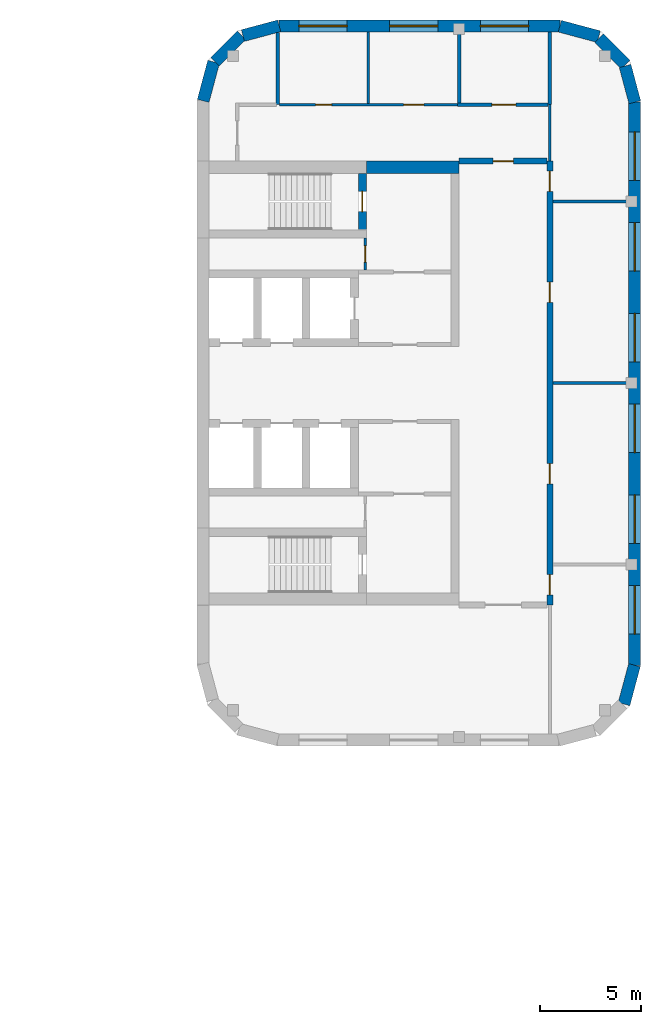
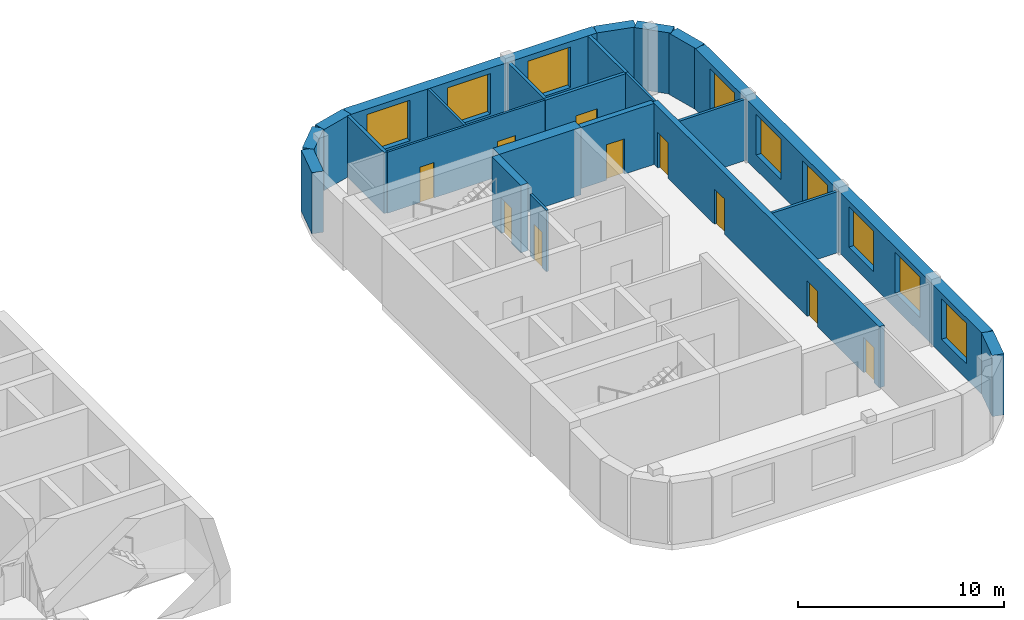
# One storey, part 8 of 10: 23 walls, 10 doors, 9 windows, 19 openings.
"""IFC4 building model written with IfcOpenShell, lengths in metres."""

from ifc_helpers import new_model, si_unit, direction, frame, frame_2d, origin, place, context, subcontext, project, spatial, rectangle, extrude, material, layer, layer_set, type_object, element, fill, save


model = new_model("IFC4")

# Units and contexts
model_context = context("Model", 3, precision=1e-05, world=origin(), true_north=direction((0.0, 1.0)))
body_context = subcontext(model_context, "Body", "Model", "MODEL_VIEW")
ifc_project = project(units=[si_unit("LENGTHUNIT", "METRE"), si_unit("AREAUNIT", "SQUARE_METRE"), si_unit("VOLUMEUNIT", "CUBIC_METRE"), si_unit("PLANEANGLEUNIT", "RADIAN"), si_unit("MASSUNIT", "GRAM", prefix="KILO")], contexts=[model_context])

# Site, building, storey
site_placement = place(None, origin())
site = spatial("IfcSite", under=ifc_project, at=site_placement, CompositionType="ELEMENT")
building_placement = place(site_placement, origin())
building = spatial("IfcBuilding", under=site, at=building_placement, Name="Skarvind Civic Tower", CompositionType="ELEMENT")
storey_placement = place(building_placement, frame((0.0, 0.0, 97.0)))
storey = spatial("IfcBuildingStorey", under=building, at=storey_placement, Name="L22", CompositionType="ELEMENT", Elevation=97.0)

# Walls
ifc_material_1 = material(Name="Acoustic gypsum board on steel studs", Category="steel")
ifc_layer_1 = layer(ifc_material_1, 0.175048828125)
ifc_layer_set_1 = layer_set([ifc_layer_1], Name="ACOUSTIC MEETING-ROOM PARTITION 175")
wall_type_1 = type_object("IfcWallType", Name="ACOUSTIC MEETING-ROOM PARTITION 175", PredefinedType="PARTITIONING", material=ifc_layer_set_1)
wall_1_placement = place(storey_placement, frame((131.0, 145.37890625, 0.0), z_axis=(0.0, 0.0, 1.0), x_axis=(0.0, -1.0, 0.0)))
element("IfcWall", 1, at=wall_1_placement, inside=storey, type_object=wall_type_1, Name="Partition 22.004", PredefinedType="PARTITIONING", context=body_context, shape_type="SweptSolid", body=[
    extrude(rectangle(XDim=3.578857421875, YDim=0.175048828125, at=frame_2d((1.78955078125, 0.0))), origin(), (0.0, 0.0, 1.0), 3.625),
])
wall_2_placement = place(storey_placement, frame((140.0, 141.887939453125, 0.0), z_axis=(0.0, 0.0, 1.0), x_axis=(0.0, 1.0, 0.0)))
element("IfcWall", 2, at=wall_2_placement, inside=storey, type_object=wall_type_1, Name="Partition 22.007", PredefinedType="PARTITIONING", context=body_context, shape_type="SweptSolid", body=[
    extrude(rectangle(XDim=3.511962890625, YDim=0.175048828125, at=frame_2d((1.755859375, 0.0))), origin(), (0.0, 0.0, 1.0), 3.625),
])

# Wall, opening, door
wall_3_placement = place(storey_placement, frame((139.912109375, 141.800048828125, 0.0), z_axis=(0.0, 0.0, 1.0), x_axis=(1.0, 0.0, 0.0)))
wall_3 = element("IfcWall", 3, at=wall_3_placement, inside=storey, type_object=wall_type_1, Name="Partition 22.008", PredefinedType="PARTITIONING", context=body_context, shape_type="SweptSolid", body=[
    extrude(rectangle(XDim=4.5, YDim=0.175048828125, at=frame_2d((2.25, 0.0))), origin(), (0.0, 0.0, 1.0), 3.625),
])
opening_1_placement = place(wall_3_placement, frame((1.7041015625, 0.0, 0.0)))
opening_1 = element("IfcOpeningElement", 4, at=opening_1_placement, cuts=wall_3, Name="Opening L22-D109", PredefinedType="OPENING", context=body_context, shape_type="SweptSolid", body=[
    extrude(rectangle(XDim=1.199951171875, YDim=2.10009765625, at=frame_2d((0.60009765625, 1.050048828125))), frame((0.0, 0.097412109375, 0.0), z_axis=(0.0, -1.0, 0.0), x_axis=(1.0, 0.0, 0.0)), (0.0, 0.0, 1.0), 0.195068359375),
])
ifc_material_2 = material(Name="Timber door leaf", Category="wood")
door_type_1 = type_object("IfcDoorType", Name="DOOR 1200X2100 DOUBLE TIMBER", OperationType="NOTDEFINED", PredefinedType="DOOR", material=ifc_material_2)
door_1_placement = place(opening_1_placement, origin())
door_1 = element("IfcDoor", 5, at=door_1_placement, inside=storey, type_object=door_type_1, Name="Door L22-D109", OperationType="DOUBLE_DOOR_SINGLE_SWING", OverallHeight=2.10009765625, OverallWidth=1.199951171875, PredefinedType="DOOR", context=body_context, shape_type="SweptSolid", body=[
    extrude(rectangle(XDim=1.199951171875, YDim=2.10009765625, at=frame_2d((0.60009765625, 1.050048828125))), frame((0.0, 0.02490234375, 0.0), z_axis=(0.0, -1.0, 0.0), x_axis=(1.0, 0.0, 0.0)), (0.0, 0.0, 1.0), 0.050048828125),
])
fill(opening_1, door_1)

# Wall
wall_4_placement = place(storey_placement, frame((144.5, 141.800048828125, 0.0), z_axis=(0.0, 0.0, 1.0), x_axis=(0.0, 1.0, 0.0)))
element("IfcWall", 6, at=wall_4_placement, inside=storey, type_object=wall_type_1, Name="Partition 22.016", PredefinedType="PARTITIONING", context=body_context, shape_type="SweptSolid", body=[
    extrude(rectangle(XDim=3.599853515625, YDim=0.175048828125, at=frame_2d((1.7998046875, 0.0))), origin(), (0.0, 0.0, 1.0), 3.625),
])

# Wall, opening, door
ifc_material_3 = material(Name="Fire-rated gypsum board on steel studs", Category="steel")
ifc_layer_2 = layer(ifc_material_3, 0.300048828125)
ifc_layer_set_2 = layer_set([ifc_layer_2], Name="CORRIDOR WALL 300")
wall_type_2 = type_object("IfcWallType", Name="CORRIDOR WALL 300", PredefinedType="PARTITIONING", material=ifc_layer_set_2)
wall_5_placement = place(storey_placement, frame((144.35009765625, 139.0, 0.0), z_axis=(0.0, 0.0, 1.0), x_axis=(-1.0, 0.0, 0.0)))
wall_5 = element("IfcWall", 7, at=wall_5_placement, inside=storey, type_object=wall_type_2, Name="Partition 22.006", PredefinedType="PARTITIONING", context=body_context, shape_type="SweptSolid", body=[
    extrude(rectangle(XDim=4.35009765625, YDim=0.300048828125, at=frame_2d((2.175048828125, 0.0))), origin(), (0.0, 0.0, 1.0), 3.625),
])
opening_2_placement = place(wall_5_placement, frame((1.66650390625, 0.0, 0.0)))
opening_2 = element("IfcOpeningElement", 8, at=opening_2_placement, cuts=wall_5, Name="Opening L22-D106", PredefinedType="OPENING", context=body_context, shape_type="SweptSolid", body=[
    extrude(rectangle(XDim=1.0, YDim=2.10009765625, at=frame_2d((0.5, 1.050048828125))), frame((0.0, 0.159912109375, 0.0), z_axis=(0.0, -1.0, 0.0), x_axis=(1.0, 0.0, 0.0)), (0.0, 0.0, 1.0), 0.320068359375),
])
ifc_material_4 = material(Name="Fire-rated timber door leaf", Category="wood")
door_type_2 = type_object("IfcDoorType", Name="FD1 1000x2100", OperationType="NOTDEFINED", PredefinedType="DOOR", material=ifc_material_4)
door_2_placement = place(opening_2_placement, origin())
door_2 = element("IfcDoor", 9, at=door_2_placement, inside=storey, type_object=door_type_2, Name="Door L22-D106", OperationType="SINGLE_SWING_LEFT", OverallHeight=2.10009765625, OverallWidth=1.0, PredefinedType="DOOR", context=body_context, shape_type="SweptSolid", body=[
    extrude(rectangle(XDim=1.0, YDim=2.10009765625, at=frame_2d((0.5, 1.050048828125))), frame((0.0, 0.02490234375, 0.0), z_axis=(0.0, -1.0, 0.0), x_axis=(1.0, 0.0, 0.0)), (0.0, 0.0, 1.0), 0.050048828125),
])
fill(opening_2, door_2)

# Wall, openings, doors
wall_6_placement = place(storey_placement, frame((144.5, 139.0, 0.0), z_axis=(0.0, 0.0, 1.0), x_axis=(0.0, -1.0, 0.0)))
wall_6 = element("IfcWall", 10, at=wall_6_placement, inside=storey, type_object=wall_type_2, Name="Partition 22.014", PredefinedType="PARTITIONING", context=body_context, shape_type="SweptSolid", body=[
    extrude(rectangle(XDim=22.0, YDim=0.300048828125, at=frame_2d((11.0, 0.0))), origin(), (0.0, 0.0, 1.0), 3.625),
])
opening_3_placement = place(wall_6_placement, frame((20.50146484375, 0.0, 0.0)))
opening_3 = element("IfcOpeningElement", 11, at=opening_3_placement, cuts=wall_6, Name="Opening L22-D101", PredefinedType="OPENING", context=body_context, shape_type="SweptSolid", body=[
    extrude(rectangle(XDim=1.0, YDim=2.10009765625, at=frame_2d((0.5, 1.050048828125))), frame((0.0, 0.159912109375, 0.0), z_axis=(0.0, -1.0, 0.0), x_axis=(1.0, 0.0, 0.0)), (0.0, 0.0, 1.0), 0.320068359375),
])
opening_4_placement = place(wall_6_placement, frame((15.0, 0.0, 0.0)))
opening_4 = element("IfcOpeningElement", 12, at=opening_4_placement, cuts=wall_6, Name="Opening L22-D102", PredefinedType="OPENING", context=body_context, shape_type="SweptSolid", body=[
    extrude(rectangle(XDim=1.0, YDim=2.10009765625, at=frame_2d((0.5, 1.050048828125))), frame((0.0, 0.159912109375, 0.0), z_axis=(0.0, -1.0, 0.0), x_axis=(1.0, 0.0, 0.0)), (0.0, 0.0, 1.0), 0.320068359375),
])
opening_5_placement = place(wall_6_placement, frame((6.0, 0.0, 0.0)))
opening_5 = element("IfcOpeningElement", 13, at=opening_5_placement, cuts=wall_6, Name="Opening L22-D103", PredefinedType="OPENING", context=body_context, shape_type="SweptSolid", body=[
    extrude(rectangle(XDim=1.0, YDim=2.10009765625, at=frame_2d((0.5, 1.050048828125))), frame((0.0, 0.159912109375, 0.0), z_axis=(0.0, -1.0, 0.0), x_axis=(1.0, 0.0, 0.0)), (0.0, 0.0, 1.0), 0.320068359375),
])
opening_6_placement = place(wall_6_placement, frame((0.49853515625, 0.0, 0.0)))
opening_6 = element("IfcOpeningElement", 14, at=opening_6_placement, cuts=wall_6, Name="Opening L22-D104", PredefinedType="OPENING", context=body_context, shape_type="SweptSolid", body=[
    extrude(rectangle(XDim=1.0, YDim=2.10009765625, at=frame_2d((0.5, 1.050048828125))), frame((0.0, 0.159912109375, 0.0), z_axis=(0.0, -1.0, 0.0), x_axis=(1.0, 0.0, 0.0)), (0.0, 0.0, 1.0), 0.320068359375),
])
door_3_placement = place(opening_3_placement, origin())
door_3 = element("IfcDoor", 15, at=door_3_placement, inside=storey, type_object=door_type_2, Name="Door L22-D101", OperationType="SINGLE_SWING_LEFT", OverallHeight=2.10009765625, OverallWidth=1.0, PredefinedType="DOOR", context=body_context, shape_type="SweptSolid", body=[
    extrude(rectangle(XDim=1.0, YDim=2.10009765625, at=frame_2d((0.5, 1.050048828125))), frame((0.0, 0.02490234375, 0.0), z_axis=(0.0, -1.0, 0.0), x_axis=(1.0, 0.0, 0.0)), (0.0, 0.0, 1.0), 0.050048828125),
])
fill(opening_3, door_3)
door_4_placement = place(opening_4_placement, origin())
door_4 = element("IfcDoor", 16, at=door_4_placement, inside=storey, type_object=door_type_2, Name="Door L22-D102", OperationType="SINGLE_SWING_LEFT", OverallHeight=2.10009765625, OverallWidth=1.0, PredefinedType="DOOR", context=body_context, shape_type="SweptSolid", body=[
    extrude(rectangle(XDim=1.0, YDim=2.10009765625, at=frame_2d((0.5, 1.050048828125))), frame((0.0, 0.02490234375, 0.0), z_axis=(0.0, -1.0, 0.0), x_axis=(1.0, 0.0, 0.0)), (0.0, 0.0, 1.0), 0.050048828125),
])
fill(opening_4, door_4)
door_5_placement = place(opening_5_placement, origin())
door_5 = element("IfcDoor", 17, at=door_5_placement, inside=storey, type_object=door_type_2, Name="Door L22-D103", OperationType="SINGLE_SWING_LEFT", OverallHeight=2.10009765625, OverallWidth=1.0, PredefinedType="DOOR", context=body_context, shape_type="SweptSolid", body=[
    extrude(rectangle(XDim=1.0, YDim=2.10009765625, at=frame_2d((0.5, 1.050048828125))), frame((0.0, 0.02490234375, 0.0), z_axis=(0.0, -1.0, 0.0), x_axis=(1.0, 0.0, 0.0)), (0.0, 0.0, 1.0), 0.050048828125),
])
fill(opening_5, door_5)
door_6_placement = place(opening_6_placement, origin())
door_6 = element("IfcDoor", 18, at=door_6_placement, inside=storey, type_object=door_type_2, Name="Door L22-D104", OperationType="SINGLE_SWING_LEFT", OverallHeight=2.10009765625, OverallWidth=1.0, PredefinedType="DOOR", context=body_context, shape_type="SweptSolid", body=[
    extrude(rectangle(XDim=1.0, YDim=2.10009765625, at=frame_2d((0.5, 1.050048828125))), frame((0.0, 0.02490234375, 0.0), z_axis=(0.0, -1.0, 0.0), x_axis=(1.0, 0.0, 0.0)), (0.0, 0.0, 1.0), 0.050048828125),
])
fill(opening_6, door_6)

# Wall, opening, door
ifc_material_5 = material(Name="Concrete C80", Category="concrete")
ifc_layer_3 = layer(ifc_material_5, 0.39990234375)
ifc_layer_set_3 = layer_set([ifc_layer_3], Name="Core wall 400 C80")
wall_type_3 = type_object("IfcWallType", Name="Core wall 400 C80", PredefinedType="SHEAR", material=ifc_layer_set_3)
wall_7_placement = place(storey_placement, frame((135.199951171875, 135.60009765625, 0.0), z_axis=(0.0, 0.0, 1.0), x_axis=(0.0, 1.0, 0.0)))
wall_7 = element("IfcWall", 19, at=wall_7_placement, inside=storey, type_object=wall_type_3, Name="Core wall CA north stair end L22", PredefinedType="SHEAR", context=body_context, shape_type="SweptSolid", body=[
    extrude(rectangle(XDim=2.7998046875, YDim=0.39990234375, at=frame_2d((1.39990234375, 0.0))), origin(), (0.0, 0.0, 1.0), 4.0),
])
opening_7_placement = place(wall_7_placement, frame((0.89990234375, 0.0, 0.0)))
opening_7 = element("IfcOpeningElement", 20, at=opening_7_placement, cuts=wall_7, Name="Opening D-L22-CA-08", PredefinedType="OPENING", context=body_context, shape_type="SweptSolid", body=[
    extrude(rectangle(XDim=1.0, YDim=2.10009765625, at=frame_2d((0.5, 1.050048828125))), frame((0.0, 0.2099609375, 0.0), z_axis=(0.0, -1.0, 0.0), x_axis=(1.0, 0.0, 0.0)), (0.0, 0.0, 1.0), 0.419921875),
])
ifc_material_6 = material(Name="Fire-rated steel door", Category="steel")
door_type_3 = type_object("IfcDoorType", Name="Fire door 1000", OperationType="NOTDEFINED", PredefinedType="DOOR", material=ifc_material_6)
door_7_placement = place(opening_7_placement, origin())
door_7 = element("IfcDoor", 21, at=door_7_placement, inside=storey, type_object=door_type_3, Name="Fire door", OperationType="SINGLE_SWING_LEFT", OverallHeight=2.10009765625, OverallWidth=1.0, PredefinedType="DOOR", context=body_context, shape_type="SweptSolid", body=[
    extrude(rectangle(XDim=1.0, YDim=2.10009765625, at=frame_2d((0.5, 1.050048828125))), frame((0.0, 0.02490234375, 0.0), z_axis=(0.0, -1.0, 0.0), x_axis=(1.0, 0.0, 0.0)), (0.0, 0.0, 1.0), 0.050048828125),
])
fill(opening_7, door_7)

# Walls
ifc_layer_4 = layer(ifc_material_5, 0.60009765625)
ifc_layer_set_4 = layer_set([ifc_layer_4], Name="Core wall 600 C80")
wall_type_4 = type_object("IfcWallType", Name="Core wall 600 C80", PredefinedType="SHEAR", material=ifc_layer_set_4)
wall_8_placement = place(storey_placement, frame((135.39990234375, 138.699951171875, 0.0), z_axis=(0.0, 0.0, 1.0), x_axis=(1.0, 0.0, 0.0)))
element("IfcWall", 22, at=wall_8_placement, inside=storey, type_object=wall_type_4, Name="Core wall CA north side L22", PredefinedType="SHEAR", context=body_context, shape_type="SweptSolid", body=[
    extrude(rectangle(XDim=4.60009765625, YDim=0.60009765625, at=frame_2d((2.300048828125, 0.0))), origin(), (0.0, 0.0, 1.0), 4.0),
])
ifc_material_7 = material(Name="Plasterboard partition on steel studs", Category="steel")
ifc_layer_5 = layer(ifc_material_7, 0.14990234375)
ifc_layer_set_5 = layer_set([ifc_layer_5], Name="PARTITION 150")
wall_type_5 = type_object("IfcWallType", Name="PARTITION 150", PredefinedType="PARTITIONING", material=ifc_layer_set_5)
for number, where, z_axis, x_axis, name in (
    (23, (144.64990234375, 128.0, 0.0), (0.0, 0.0, 1.0), (1.0, 0.0, 0.0), "Partition 22.012"),
    (24, (144.64990234375, 137.0, 0.0), (0.0, 0.0, 1.0), (1.0, 0.0, 0.0), "Partition 22.013"),
):
    element("IfcWall", number, at=place(storey_placement, frame(where, z_axis=z_axis, x_axis=x_axis)), inside=storey, type_object=wall_type_5, Name=name, PredefinedType="PARTITIONING", context=body_context, shape_type="SweptSolid", body=[
        extrude(rectangle(XDim=3.75, YDim=0.14990234375, at=frame_2d((1.875, 0.0))), origin(), (0.0, 0.0, 1.0), 3.625),
    ])

# Wall, opening, door
ifc_material_8 = material(Name="Fire-rated masonry partition", Category="masonry")
ifc_layer_6 = layer(ifc_material_8, 0.125)
ifc_layer_set_6 = layer_set([ifc_layer_6], Name="Riser wall 125")
wall_type_6 = type_object("IfcWallType", Name="Riser wall 125", PredefinedType="PARTITIONING", material=ifc_layer_set_6)
wall_9_placement = place(storey_placement, frame((135.33740234375, 135.199951171875, 0.0), z_axis=(0.0, 0.0, 1.0), x_axis=(0.0, -1.0, 0.0)))
wall_9 = element("IfcWall", 25, at=wall_9_placement, inside=storey, type_object=wall_type_6, Name="Core wall CA", PredefinedType="PARTITIONING", context=body_context, shape_type="SweptSolid", body=[
    extrude(rectangle(XDim=1.599853515625, YDim=0.125, at=frame_2d((0.7998046875, 0.0))), origin(), (0.0, 0.0, 1.0), 3.625),
])
opening_8_placement = place(wall_9_placement, frame((0.39990234375, 0.0, 0.0)))
opening_8 = element("IfcOpeningElement", 26, at=opening_8_placement, cuts=wall_9, Name="Opening D-L22-CA-09", PredefinedType="OPENING", context=body_context, shape_type="SweptSolid", body=[
    extrude(rectangle(XDim=0.800048828125, YDim=2.10009765625, at=frame_2d((0.39990234375, 1.050048828125))), frame((0.0, 0.072509765625, 0.0), z_axis=(0.0, -1.0, 0.0), x_axis=(1.0, 0.0, 0.0)), (0.0, 0.0, 1.0), 0.14501953125),
])
door_type_4 = type_object("IfcDoorType", Name="Core riser door 800", OperationType="NOTDEFINED", PredefinedType="DOOR", material=ifc_material_6)
door_8_placement = place(opening_8_placement, origin())
door_8 = element("IfcDoor", 27, at=door_8_placement, inside=storey, type_object=door_type_4, Name="Riser door", OperationType="SINGLE_SWING_RIGHT", OverallHeight=2.10009765625, OverallWidth=0.800048828125, PredefinedType="DOOR", context=body_context, shape_type="SweptSolid", body=[
    extrude(rectangle(XDim=0.800048828125, YDim=2.10009765625, at=frame_2d((0.39990234375, 1.050048828125))), frame((0.0, 0.02490234375, 0.0), z_axis=(0.0, -1.0, 0.0), x_axis=(1.0, 0.0, 0.0)), (0.0, 0.0, 1.0), 0.050048828125),
])
fill(opening_8, door_8)

# Wall, openings, doors
ifc_material_9 = material(Name="Moisture-resistant gypsum board on steel studs", Category="steel")
ifc_layer_7 = layer(ifc_material_9, 0.125)
ifc_layer_set_7 = layer_set([ifc_layer_7], Name="WC PARTITION 125")
wall_type_7 = type_object("IfcWallType", Name="WC PARTITION 125", PredefinedType="PARTITIONING", material=ifc_layer_set_7)
wall_10_placement = place(storey_placement, frame((131.0849609375, 141.800048828125, 0.0), z_axis=(0.0, 0.0, 1.0), x_axis=(1.0, 0.0, 0.0)))
wall_10 = element("IfcWall", 28, at=wall_10_placement, inside=storey, type_object=wall_type_7, Name="Partition 22.003", PredefinedType="PARTITIONING", context=body_context, shape_type="SweptSolid", body=[
    extrude(rectangle(XDim=8.91796875, YDim=0.125, at=frame_2d((4.458984375, 0.0))), origin(), (0.0, 0.0, 1.0), 3.625),
])
opening_9_placement = place(wall_10_placement, frame((6.1650390625, 0.0, 0.0)))
opening_9 = element("IfcOpeningElement", 29, at=opening_9_placement, cuts=wall_10, Name="Opening L22-D107", PredefinedType="OPENING", context=body_context, shape_type="SweptSolid", body=[
    extrude(rectangle(XDim=1.0, YDim=2.10009765625, at=frame_2d((0.5, 1.050048828125))), frame((0.0, 0.072509765625, 0.0), z_axis=(0.0, -1.0, 0.0), x_axis=(1.0, 0.0, 0.0)), (0.0, 0.0, 1.0), 0.14501953125),
])
opening_10_placement = place(wall_10_placement, frame((1.797607421875, 0.0, 0.0)))
opening_10 = element("IfcOpeningElement", 30, at=opening_10_placement, cuts=wall_10, Name="Opening L22-D108", PredefinedType="OPENING", context=body_context, shape_type="SweptSolid", body=[
    extrude(rectangle(XDim=0.800048828125, YDim=2.10009765625, at=frame_2d((0.39990234375, 1.050048828125))), frame((0.0, 0.072509765625, 0.0), z_axis=(0.0, -1.0, 0.0), x_axis=(1.0, 0.0, 0.0)), (0.0, 0.0, 1.0), 0.14501953125),
])
door_type_5 = type_object("IfcDoorType", Name="D1 1000x2100", OperationType="NOTDEFINED", PredefinedType="DOOR", material=ifc_material_2)
door_9_placement = place(opening_9_placement, origin())
door_9 = element("IfcDoor", 31, at=door_9_placement, inside=storey, type_object=door_type_5, Name="Door L22-D107", OperationType="SINGLE_SWING_RIGHT", OverallHeight=2.10009765625, OverallWidth=1.0, PredefinedType="DOOR", context=body_context, shape_type="SweptSolid", body=[
    extrude(rectangle(XDim=1.0, YDim=2.10009765625, at=frame_2d((0.5, 1.050048828125))), frame((0.0, 0.02490234375, 0.0), z_axis=(0.0, -1.0, 0.0), x_axis=(1.0, 0.0, 0.0)), (0.0, 0.0, 1.0), 0.050048828125),
])
fill(opening_9, door_9)
door_type_6 = type_object("IfcDoorType", Name="DOOR 800X2100 TIMBER", OperationType="NOTDEFINED", PredefinedType="DOOR", material=ifc_material_2)
door_10_placement = place(opening_10_placement, origin())
door_10 = element("IfcDoor", 32, at=door_10_placement, inside=storey, type_object=door_type_6, Name="Door L22-D108", OperationType="SINGLE_SWING_LEFT", OverallHeight=2.10009765625, OverallWidth=0.800048828125, PredefinedType="DOOR", context=body_context, shape_type="SweptSolid", body=[
    extrude(rectangle(XDim=0.800048828125, YDim=2.10009765625, at=frame_2d((0.39990234375, 1.050048828125))), frame((0.0, 0.02490234375, 0.0), z_axis=(0.0, -1.0, 0.0), x_axis=(1.0, 0.0, 0.0)), (0.0, 0.0, 1.0), 0.050048828125),
])
fill(opening_10, door_10)

# Walls
wall_11_placement = place(storey_placement, frame((135.5, 141.862060546875, 0.0), z_axis=(0.0, 0.0, 1.0), x_axis=(0.0, 1.0, 0.0)))
element("IfcWall", 33, at=wall_11_placement, inside=storey, type_object=wall_type_7, Name="Partition 22.005", PredefinedType="PARTITIONING", context=body_context, shape_type="SweptSolid", body=[
    extrude(rectangle(XDim=3.537841796875, YDim=0.125, at=frame_2d((1.76904296875, 0.0))), origin(), (0.0, 0.0, 1.0), 3.625),
])
wall_12_placement = place(storey_placement, frame((144.5, 141.800048828125, 0.0), z_axis=(0.0, 0.0, 1.0), x_axis=(0.0, -1.0, 0.0)))
element("IfcWall", 34, at=wall_12_placement, inside=storey, type_object=wall_type_7, Name="Partition 22.015", PredefinedType="PARTITIONING", context=body_context, shape_type="SweptSolid", body=[
    extrude(rectangle(XDim=2.800048828125, YDim=0.125, at=frame_2d((1.39990234375, 0.0))), origin(), (0.0, 0.0, 1.0), 3.625),
])

# Wall, openings, windows
ifc_material_10 = material(Name="Limestone masonry cladding on insulated backing", Category="masonry")
ifc_layer_8 = layer(ifc_material_10, 0.60009765625)
ifc_layer_set_8 = layer_set([ifc_layer_8], Name="WX1 STONE FACADE WALL 600")
wall_type_8 = type_object("IfcWallType", Name="WX1 STONE FACADE WALL 600", PredefinedType="SOLIDWALL", material=ifc_layer_set_8)
wall_13_placement = place(storey_placement, frame((131.070068359375, 145.699951171875, 0.0), z_axis=(0.0, 0.0, 1.0), x_axis=(1.0, 0.0, 0.0)))
wall_13 = element("IfcWall", 35, at=wall_13_placement, inside=storey, type_object=wall_type_8, Name="STONE FACADE WALL", PredefinedType="SOLIDWALL", context=body_context, shape_type="SweptSolid", body=[
    extrude(rectangle(XDim=13.929931640625, YDim=0.60009765625, at=frame_2d((6.96484375, 0.0))), origin(), (0.0, 0.0, 1.0), 3.625),
])
opening_11_placement = place(wall_13_placement, frame((0.97998046875, 0.0, 0.89990234375)))
opening_11 = element("IfcOpeningElement", 36, at=opening_11_placement, cuts=wall_13, Name="Opening WN9", PredefinedType="OPENING", context=body_context, shape_type="SweptSolid", body=[
    extrude(rectangle(XDim=2.39990234375, YDim=2.39990234375, at=frame_2d((1.199951171875, 1.199951171875))), frame((0.0, 0.31005859375, 0.0), z_axis=(0.0, -1.0, 0.0), x_axis=(1.0, 0.0, 0.0)), (0.0, 0.0, 1.0), 0.6201171875),
])
opening_12_placement = place(wall_13_placement, frame((5.47998046875, 0.0, 0.89990234375)))
opening_12 = element("IfcOpeningElement", 37, at=opening_12_placement, cuts=wall_13, Name="Opening WN9", PredefinedType="OPENING", context=body_context, shape_type="SweptSolid", body=[
    extrude(rectangle(XDim=2.39990234375, YDim=2.39990234375, at=frame_2d((1.199951171875, 1.199951171875))), frame((0.0, 0.31005859375, 0.0), z_axis=(0.0, -1.0, 0.0), x_axis=(1.0, 0.0, 0.0)), (0.0, 0.0, 1.0), 0.6201171875),
])
opening_13_placement = place(wall_13_placement, frame((9.97998046875, 0.0, 0.89990234375)))
opening_13 = element("IfcOpeningElement", 38, at=opening_13_placement, cuts=wall_13, Name="Opening WN9", PredefinedType="OPENING", context=body_context, shape_type="SweptSolid", body=[
    extrude(rectangle(XDim=2.39990234375, YDim=2.39990234375, at=frame_2d((1.199951171875, 1.199951171875))), frame((0.0, 0.31005859375, 0.0), z_axis=(0.0, -1.0, 0.0), x_axis=(1.0, 0.0, 0.0)), (0.0, 0.0, 1.0), 0.6201171875),
])
ifc_material_11 = material(Name="Timber frame, double glazing, timber-lined reveal", Category="wood")
window_type = type_object("IfcWindowType", Name="WN9 COMPANION TOWER WINDOW 2400 x 2400", PartitioningType="SINGLE_PANEL", PredefinedType="WINDOW", material=ifc_material_11)
window_1_placement = place(opening_11_placement, origin())
window_1 = element("IfcWindow", 39, at=window_1_placement, inside=storey, type_object=window_type, Name="WN9 WINDOW", OverallHeight=2.39990234375, OverallWidth=2.39990234375, PartitioningType="SINGLE_PANEL", PredefinedType="WINDOW", context=body_context, shape_type="SweptSolid", body=[
    extrude(rectangle(XDim=2.39990234375, YDim=2.39990234375, at=frame_2d((1.199951171875, 1.199951171875))), frame((0.0, 0.030029296875, 0.0), z_axis=(0.0, -1.0, 0.0), x_axis=(1.0, 0.0, 0.0)), (0.0, 0.0, 1.0), 0.06005859375),
])
fill(opening_11, window_1)
window_2_placement = place(opening_12_placement, origin())
window_2 = element("IfcWindow", 40, at=window_2_placement, inside=storey, type_object=window_type, Name="WN9 WINDOW", OverallHeight=2.39990234375, OverallWidth=2.39990234375, PartitioningType="SINGLE_PANEL", PredefinedType="WINDOW", context=body_context, shape_type="SweptSolid", body=[
    extrude(rectangle(XDim=2.39990234375, YDim=2.39990234375, at=frame_2d((1.199951171875, 1.199951171875))), frame((0.0, 0.030029296875, 0.0), z_axis=(0.0, -1.0, 0.0), x_axis=(1.0, 0.0, 0.0)), (0.0, 0.0, 1.0), 0.06005859375),
])
fill(opening_12, window_2)
window_3_placement = place(opening_13_placement, origin())
window_3 = element("IfcWindow", 41, at=window_3_placement, inside=storey, type_object=window_type, Name="WN9 WINDOW", OverallHeight=2.39990234375, OverallWidth=2.39990234375, PartitioningType="SINGLE_PANEL", PredefinedType="WINDOW", context=body_context, shape_type="SweptSolid", body=[
    extrude(rectangle(XDim=2.39990234375, YDim=2.39990234375, at=frame_2d((1.199951171875, 1.199951171875))), frame((0.0, 0.030029296875, 0.0), z_axis=(0.0, -1.0, 0.0), x_axis=(1.0, 0.0, 0.0)), (0.0, 0.0, 1.0), 0.06005859375),
])
fill(opening_13, window_3)

# Walls
for number, where, z_axis, x_axis, name in (
    (42, (129.280517578125, 145.228759765625, 0.0), (0.0, 0.0, 1.0), (0.965938094805, 0.258773254036, 0.0), "STONE FACADE WALL"),
    (43, (127.896484375, 143.936279296875, 0.0), (0.0, 0.0, 1.0), (0.707106781187, 0.707106781187, 0.0), "STONE FACADE WALL"),
):
    element("IfcWall", number, at=place(storey_placement, frame(where, z_axis=z_axis, x_axis=x_axis)), inside=storey, type_object=wall_type_8, Name=name, PredefinedType="SOLIDWALL", context=body_context, shape_type="SweptSolid", body=[
        extrude(rectangle(XDim=1.860595703125, YDim=0.60009765625, at=frame_2d((0.93017578125, 0.0))), origin(), (0.0, 0.0, 1.0), 3.625),
    ])
for number, where, z_axis, x_axis, name in (
    (44, (127.307861328125, 141.989990234375, 0.0), (0.0, 0.0, 1.0), (0.258839784042, 0.965920269068, 0.0), "STONE FACADE WALL"),
    (45, (148.692138671875, 114.010009765625, 0.0), (0.0, 0.0, 1.0), (-0.258839784042, -0.965920269068, 0.0), "STONE FACADE WALL"),
):
    element("IfcWall", number, at=place(storey_placement, frame(where, z_axis=z_axis, x_axis=x_axis)), inside=storey, type_object=wall_type_8, Name=name, PredefinedType="SOLIDWALL", context=body_context, shape_type="SweptSolid", body=[
        extrude(rectangle(XDim=2.00048828125, YDim=0.60009765625, at=frame_2d((1.000244140625, 0.0))), origin(), (0.0, 0.0, 1.0), 3.625),
    ])

# Wall, openings, windows
wall_14_placement = place(storey_placement, frame((148.699951171875, 141.929931640625, 0.0), z_axis=(0.0, 0.0, 1.0), x_axis=(0.0, -1.0, 0.0)))
wall_14 = element("IfcWall", 46, at=wall_14_placement, inside=storey, type_object=wall_type_8, Name="STONE FACADE WALL", PredefinedType="SOLIDWALL", context=body_context, shape_type="SweptSolid", body=[
    extrude(rectangle(XDim=27.929931640625, YDim=0.60009765625, at=frame_2d((13.96484375, 0.0))), origin(), (0.0, 0.0, 1.0), 3.625),
])
opening_14_placement = place(wall_14_placement, frame((1.47998046875, 0.0, 0.89990234375)))
opening_14 = element("IfcOpeningElement", 47, at=opening_14_placement, cuts=wall_14, Name="Opening WN9", PredefinedType="OPENING", context=body_context, shape_type="SweptSolid", body=[
    extrude(rectangle(XDim=2.39990234375, YDim=2.39990234375, at=frame_2d((1.199951171875, 1.199951171875))), frame((0.0, 0.31005859375, 0.0), z_axis=(0.0, -1.0, 0.0), x_axis=(1.0, 0.0, 0.0)), (0.0, 0.0, 1.0), 0.6201171875),
])
opening_15_placement = place(wall_14_placement, frame((5.97998046875, 0.0, 0.89990234375)))
opening_15 = element("IfcOpeningElement", 48, at=opening_15_placement, cuts=wall_14, Name="Opening WN9", PredefinedType="OPENING", context=body_context, shape_type="SweptSolid", body=[
    extrude(rectangle(XDim=2.39990234375, YDim=2.39990234375, at=frame_2d((1.199951171875, 1.199951171875))), frame((0.0, 0.31005859375, 0.0), z_axis=(0.0, -1.0, 0.0), x_axis=(1.0, 0.0, 0.0)), (0.0, 0.0, 1.0), 0.6201171875),
])
opening_16_placement = place(wall_14_placement, frame((10.47998046875, 0.0, 0.89990234375)))
opening_16 = element("IfcOpeningElement", 49, at=opening_16_placement, cuts=wall_14, Name="Opening WN9", PredefinedType="OPENING", context=body_context, shape_type="SweptSolid", body=[
    extrude(rectangle(XDim=2.39990234375, YDim=2.39990234375, at=frame_2d((1.199951171875, 1.199951171875))), frame((0.0, 0.31005859375, 0.0), z_axis=(0.0, -1.0, 0.0), x_axis=(1.0, 0.0, 0.0)), (0.0, 0.0, 1.0), 0.6201171875),
])
opening_17_placement = place(wall_14_placement, frame((14.97998046875, 0.0, 0.89990234375)))
opening_17 = element("IfcOpeningElement", 50, at=opening_17_placement, cuts=wall_14, Name="Opening WN9", PredefinedType="OPENING", context=body_context, shape_type="SweptSolid", body=[
    extrude(rectangle(XDim=2.39990234375, YDim=2.39990234375, at=frame_2d((1.199951171875, 1.199951171875))), frame((0.0, 0.31005859375, 0.0), z_axis=(0.0, -1.0, 0.0), x_axis=(1.0, 0.0, 0.0)), (0.0, 0.0, 1.0), 0.6201171875),
])
opening_18_placement = place(wall_14_placement, frame((19.47998046875, 0.0, 0.89990234375)))
opening_18 = element("IfcOpeningElement", 51, at=opening_18_placement, cuts=wall_14, Name="Opening WN9", PredefinedType="OPENING", context=body_context, shape_type="SweptSolid", body=[
    extrude(rectangle(XDim=2.39990234375, YDim=2.39990234375, at=frame_2d((1.199951171875, 1.199951171875))), frame((0.0, 0.31005859375, 0.0), z_axis=(0.0, -1.0, 0.0), x_axis=(1.0, 0.0, 0.0)), (0.0, 0.0, 1.0), 0.6201171875),
])
opening_19_placement = place(wall_14_placement, frame((23.97998046875, 0.0, 0.89990234375)))
opening_19 = element("IfcOpeningElement", 52, at=opening_19_placement, cuts=wall_14, Name="Opening WN9", PredefinedType="OPENING", context=body_context, shape_type="SweptSolid", body=[
    extrude(rectangle(XDim=2.39990234375, YDim=2.39990234375, at=frame_2d((1.199951171875, 1.199951171875))), frame((0.0, 0.31005859375, 0.0), z_axis=(0.0, -1.0, 0.0), x_axis=(1.0, 0.0, 0.0)), (0.0, 0.0, 1.0), 0.6201171875),
])
window_4_placement = place(opening_14_placement, origin())
window_4 = element("IfcWindow", 53, at=window_4_placement, inside=storey, type_object=window_type, Name="WN9 WINDOW", OverallHeight=2.39990234375, OverallWidth=2.39990234375, PartitioningType="SINGLE_PANEL", PredefinedType="WINDOW", context=body_context, shape_type="SweptSolid", body=[
    extrude(rectangle(XDim=2.39990234375, YDim=2.39990234375, at=frame_2d((1.199951171875, 1.199951171875))), frame((0.0, 0.030029296875, 0.0), z_axis=(0.0, -1.0, 0.0), x_axis=(1.0, 0.0, 0.0)), (0.0, 0.0, 1.0), 0.06005859375),
])
fill(opening_14, window_4)
window_5_placement = place(opening_15_placement, origin())
window_5 = element("IfcWindow", 54, at=window_5_placement, inside=storey, type_object=window_type, Name="WN9 WINDOW", OverallHeight=2.39990234375, OverallWidth=2.39990234375, PartitioningType="SINGLE_PANEL", PredefinedType="WINDOW", context=body_context, shape_type="SweptSolid", body=[
    extrude(rectangle(XDim=2.39990234375, YDim=2.39990234375, at=frame_2d((1.199951171875, 1.199951171875))), frame((0.0, 0.030029296875, 0.0), z_axis=(0.0, -1.0, 0.0), x_axis=(1.0, 0.0, 0.0)), (0.0, 0.0, 1.0), 0.06005859375),
])
fill(opening_15, window_5)
window_6_placement = place(opening_16_placement, origin())
window_6 = element("IfcWindow", 55, at=window_6_placement, inside=storey, type_object=window_type, Name="WN9 WINDOW", OverallHeight=2.39990234375, OverallWidth=2.39990234375, PartitioningType="SINGLE_PANEL", PredefinedType="WINDOW", context=body_context, shape_type="SweptSolid", body=[
    extrude(rectangle(XDim=2.39990234375, YDim=2.39990234375, at=frame_2d((1.199951171875, 1.199951171875))), frame((0.0, 0.030029296875, 0.0), z_axis=(0.0, -1.0, 0.0), x_axis=(1.0, 0.0, 0.0)), (0.0, 0.0, 1.0), 0.06005859375),
])
fill(opening_16, window_6)
window_7_placement = place(opening_17_placement, origin())
window_7 = element("IfcWindow", 56, at=window_7_placement, inside=storey, type_object=window_type, Name="WN9 WINDOW", OverallHeight=2.39990234375, OverallWidth=2.39990234375, PartitioningType="SINGLE_PANEL", PredefinedType="WINDOW", context=body_context, shape_type="SweptSolid", body=[
    extrude(rectangle(XDim=2.39990234375, YDim=2.39990234375, at=frame_2d((1.199951171875, 1.199951171875))), frame((0.0, 0.030029296875, 0.0), z_axis=(0.0, -1.0, 0.0), x_axis=(1.0, 0.0, 0.0)), (0.0, 0.0, 1.0), 0.06005859375),
])
fill(opening_17, window_7)
window_8_placement = place(opening_18_placement, origin())
window_8 = element("IfcWindow", 57, at=window_8_placement, inside=storey, type_object=window_type, Name="WN9 WINDOW", OverallHeight=2.39990234375, OverallWidth=2.39990234375, PartitioningType="SINGLE_PANEL", PredefinedType="WINDOW", context=body_context, shape_type="SweptSolid", body=[
    extrude(rectangle(XDim=2.39990234375, YDim=2.39990234375, at=frame_2d((1.199951171875, 1.199951171875))), frame((0.0, 0.030029296875, 0.0), z_axis=(0.0, -1.0, 0.0), x_axis=(1.0, 0.0, 0.0)), (0.0, 0.0, 1.0), 0.06005859375),
])
fill(opening_18, window_8)
window_9_placement = place(opening_19_placement, origin())
window_9 = element("IfcWindow", 58, at=window_9_placement, inside=storey, type_object=window_type, Name="WN9 WINDOW", OverallHeight=2.39990234375, OverallWidth=2.39990234375, PartitioningType="SINGLE_PANEL", PredefinedType="WINDOW", context=body_context, shape_type="SweptSolid", body=[
    extrude(rectangle(XDim=2.39990234375, YDim=2.39990234375, at=frame_2d((1.199951171875, 1.199951171875))), frame((0.0, 0.030029296875, 0.0), z_axis=(0.0, -1.0, 0.0), x_axis=(1.0, 0.0, 0.0)), (0.0, 0.0, 1.0), 0.06005859375),
])
fill(opening_19, window_9)

# Walls
for number, where, z_axis, x_axis, name in (
    (59, (148.228759765625, 143.719482421875, 0.0), (0.0, 0.0, 1.0), (0.258773254036, -0.965938094805, 0.0), "STONE FACADE WALL"),
    (60, (146.936279296875, 145.103515625, 0.0), (0.0, 0.0, 1.0), (0.707106781187, -0.707106781187, 0.0), "STONE FACADE WALL"),
):
    element("IfcWall", number, at=place(storey_placement, frame(where, z_axis=z_axis, x_axis=x_axis)), inside=storey, type_object=wall_type_8, Name=name, PredefinedType="SOLIDWALL", context=body_context, shape_type="SweptSolid", body=[
        extrude(rectangle(XDim=1.860595703125, YDim=0.60009765625, at=frame_2d((0.93017578125, 0.0))), origin(), (0.0, 0.0, 1.0), 3.625),
    ])
wall_15_placement = place(storey_placement, frame((144.989990234375, 145.692138671875, 0.0), z_axis=(0.0, 0.0, 1.0), x_axis=(0.965920269068, -0.258839784042, 0.0)))
element("IfcWall", 61, at=wall_15_placement, inside=storey, type_object=wall_type_8, Name="STONE FACADE WALL", PredefinedType="SOLIDWALL", context=body_context, shape_type="SweptSolid", body=[
    extrude(rectangle(XDim=2.00048828125, YDim=0.60009765625, at=frame_2d((1.000244140625, 0.0))), origin(), (0.0, 0.0, 1.0), 3.625),
])

save(model, "model.ifc")
